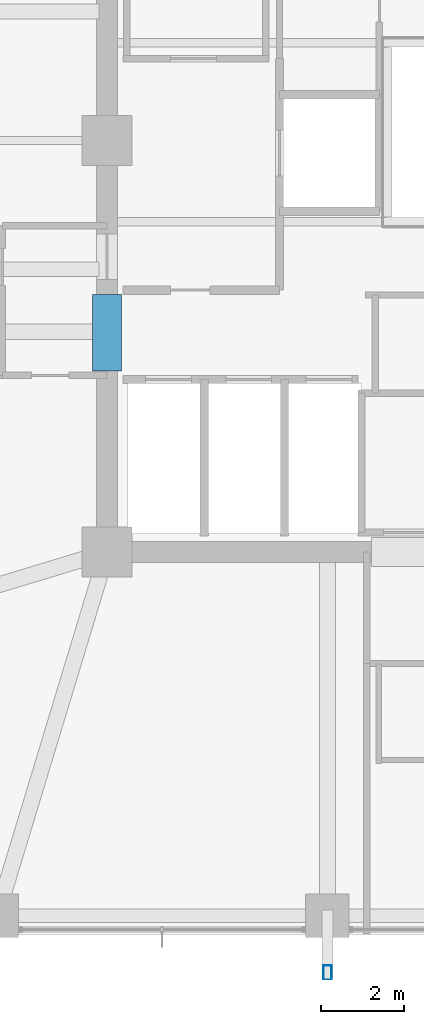
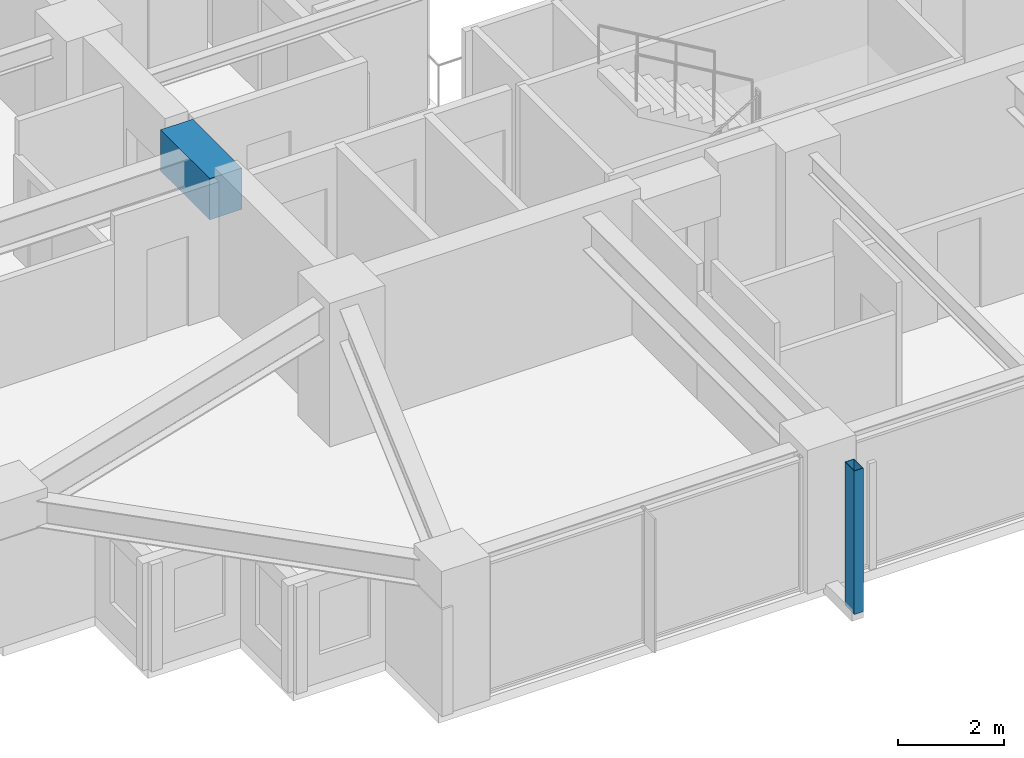
# One storey, part 4 of 35: 1 beam, 1 member.
"""IFC4 building model written with IfcOpenShell, lengths in metres."""

from ifc_helpers import new_model, si_unit, direction, frame, origin, origin_2d, place, context, subcontext, project, spatial, rectangle, hollow_rectangle, extrude, material, material_profile, profile_set, type_object, element, save


model = new_model("IFC4")

# Units and contexts
model_context = context("Model", 3, precision=1e-05, world=origin(), true_north=direction((0.0, 1.0)))
body_context = subcontext(model_context, "Body", "Model", "MODEL_VIEW")
ifc_project = project(units=[si_unit("LENGTHUNIT", "METRE"), si_unit("AREAUNIT", "SQUARE_METRE"), si_unit("VOLUMEUNIT", "CUBIC_METRE"), si_unit("PLANEANGLEUNIT", "RADIAN"), si_unit("MASSUNIT", "GRAM", prefix="KILO")], contexts=[model_context])

# Site, building, storey
site_placement = place(None, origin())
site = spatial("IfcSite", under=ifc_project, at=site_placement, CompositionType="ELEMENT")
building_placement = place(site_placement, origin())
building = spatial("IfcBuilding", under=site, at=building_placement, Name="Kolvaren Belvedere", CompositionType="ELEMENT")
storey_placement = place(building_placement, frame((0.0, 0.0, 115.10009765625)))
storey = spatial("IfcBuildingStorey", under=building, at=storey_placement, Name="L33", CompositionType="ELEMENT", Elevation=115.10009765625)

# Beam
ifc_material_1 = material(Name="Concrete C60/75", Category="concrete")
ifc_material_profile_1 = material_profile(ifc_material_1, rectangle(XDim=0.699951171875, YDim=0.949951171875, at=origin_2d()), Name="RC 700X950")
ifc_profile_set_1 = profile_set([ifc_material_profile_1], Name="Concrete C60/75")
beam_type = type_object("IfcBeamType", Name="BM-LINT-950", PredefinedType="LINTEL", material=ifc_profile_set_1)
beam_placement = place(storey_placement, frame((-9.89990234375, -5.550048828125, 2.60498046875), z_axis=(0.0, 1.0, 0.0), x_axis=(-1.0, 0.0, 0.0)))
element("IfcBeam", 1, at=beam_placement, inside=storey, type_object=beam_type, Name="L33 West Core Coupling Lintel", PredefinedType="LINTEL", context=body_context, shape_type="SweptSolid", body=[
    extrude(rectangle(XDim=0.699951171875, YDim=0.949951171875, at=origin_2d()), origin(), (0.0, 0.0, 1.0), 1.85009765625),
])

# Member
ifc_material_2 = material(Name="Anodised pale-metal aluminium AA 6063-T6", Category="aluminium")
ifc_material_profile_2 = material_profile(ifc_material_2, hollow_rectangle(XDim=0.199951171875, YDim=0.35009765625, WallThickness=0.007568359375, at=origin_2d()), Name="ALU-PF-350X200")
ifc_profile_set_2 = profile_set([ifc_material_profile_2], Name="Anodised pale-metal aluminium AA 6063-T6")
member_type = type_object("IfcMemberType", Name="PF-FRAME-350", PredefinedType="USERDEFINED", material=ifc_profile_set_2)
member_placement = place(storey_placement, frame((-4.60009765625, -20.02001953125, 0.0), z_axis=(0.0, 0.0, 1.0), x_axis=(1.0, 0.0, 0.0)))
element("IfcMember", 2, at=member_placement, inside=storey, type_object=member_type, Name="L33 Outboard Picture-Frame Vertical S2", ObjectType="PICTURE FRAME FIN", PredefinedType="USERDEFINED", context=body_context, shape_type="SweptSolid", body=[
    extrude(hollow_rectangle(XDim=0.199951171875, YDim=0.35009765625, WallThickness=0.007568359375, at=origin_2d()), origin(), (0.0, 0.0, 1.0), 3.2998046875),
])

save(model, "model.ifc")
